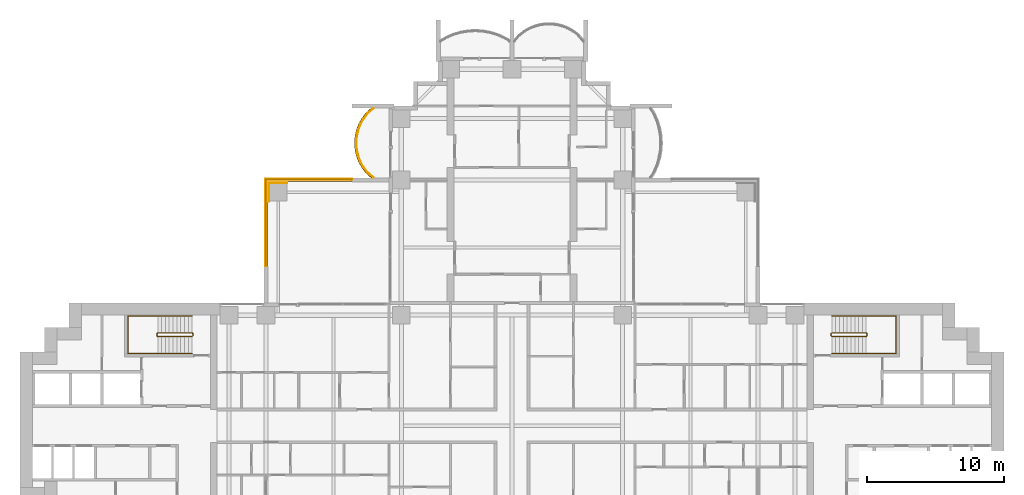
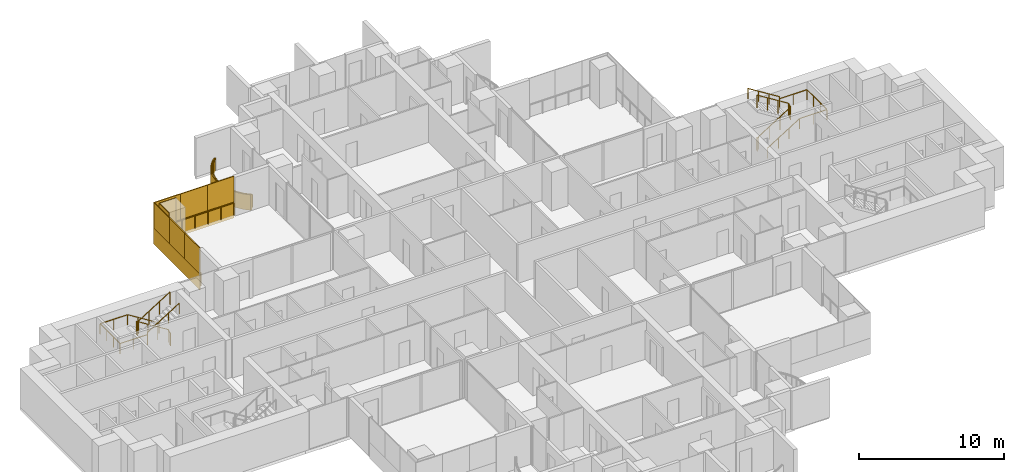
# One storey, part 20 of 21: 10 coverings, 6 railings.
"""IFC4 building model written with IfcOpenShell, lengths in metres."""

from ifc_helpers import new_model, si_unit, direction, frame, origin, origin_2d, place, context, subcontext, project, spatial, polyline, rectangle, outline, extrude, material, layer, layer_set, type_object, element, save


model = new_model("IFC4")

# Units and contexts
model_context = context("Model", 3, precision=1e-05, world=origin(), true_north=direction((0.0, 1.0)))
body_context = subcontext(model_context, "Body", "Model", "MODEL_VIEW")
ifc_project = project(units=[si_unit("LENGTHUNIT", "METRE"), si_unit("AREAUNIT", "SQUARE_METRE"), si_unit("VOLUMEUNIT", "CUBIC_METRE"), si_unit("PLANEANGLEUNIT", "RADIAN"), si_unit("MASSUNIT", "GRAM", prefix="KILO")], contexts=[model_context])

# Site, building, storey
site_placement = place(None, origin())
site = spatial("IfcSite", under=ifc_project, at=site_placement, CompositionType="ELEMENT")
building_placement = place(site_placement, origin())
building = spatial("IfcBuilding", under=site, at=building_placement, Name="Perihelion Cross Residences", CompositionType="ELEMENT")
storey_placement = place(building_placement, frame((0.0, 0.0, 64.5)))
storey = spatial("IfcBuildingStorey", under=building, at=storey_placement, Name="L13", CompositionType="ELEMENT", Elevation=64.5)

# Covering
ifc_material_1 = material(Name="Bronze anodised aluminium", Category="aluminium")
ifc_layer_1 = layer(ifc_material_1, 0.070068359375)
ifc_layer_set_1 = layer_set([ifc_layer_1], Name="Balcony fascia 1300")
covering_type_1 = type_object("IfcCoveringType", Name="Balcony fascia 1300", PredefinedType="CLADDING", material=ifc_layer_set_1)
covering_1_placement = place(storey_placement, frame((0.0, 0.0, -0.199951171875)))
element("IfcCovering", 1, at=covering_1_placement, inside=storey, type_object=covering_type_1, Name="Fascia BF1 L13 north side west bay 1", PredefinedType="CLADDING", context=body_context, shape_type="SweptSolid", body=[
    extrude(outline(polyline([(-10.674072265625, 22.90478515625), (-10.982666015625, 22.50390625), (-11.20654296875, 22.10302734375), (-11.364013671875, 21.7021484375), (-11.464599609375, 21.30126953125), (-11.513916015625, 20.900390625), (-11.513916015625, 20.49951171875), (-11.464599609375, 20.0986328125), (-11.364013671875, 19.69775390625), (-11.20654296875, 19.296875), (-10.982666015625, 18.89599609375), (-10.674072265625, 18.4951171875), (-10.302734375, 18.14990234375), (-10.199951171875, 18.14990234375), (-10.622314453125, 18.542236328125), (-10.924072265625, 18.9345703125), (-11.143310546875, 19.326904296875), (-11.29736328125, 19.71923828125), (-11.39599609375, 20.111572265625), (-11.444091796875, 20.50390625), (-11.444091796875, 20.896240234375), (-11.39599609375, 21.28857421875), (-11.29736328125, 21.6806640625), (-11.143310546875, 22.072998046875), (-10.924072265625, 22.46533203125), (-10.622314453125, 22.857666015625), (-10.199951171875, 23.25), (-10.302734375, 23.25), (-10.674072265625, 22.90478515625)])), origin(), (0.0, 0.0, 1.0), 1.300048828125),
])

# Railings
ifc_material_2 = material(Name="Bronze anodised aluminium", Category="aluminium")
railing_type_1 = type_object("IfcRailingType", Name="Balcony guard 1100", PredefinedType="GUARDRAIL", material=ifc_material_2)
railing_1_placement = place(storey_placement, frame((-10.139892578125, 23.22509765625, 0.0)))
element("IfcRailing", 2, at=railing_1_placement, inside=storey, type_object=railing_type_1, Name="Guard GU1 L13 north side west bay 1 balcony", PredefinedType="GUARDRAIL", context=body_context, shape_type="SweptSolid", body=[
    extrude(rectangle(XDim=0.048095703125, YDim=0.048095703125, at=origin_2d()), frame((0.0, 0.0, 1.076171875), z_axis=(-0.754464673757, -0.656340655493, 0.0), x_axis=(0.656340655493, -0.754464673757, 0.0)), (0.0, 0.0, 1.0), 0.559814453125),
    extrude(rectangle(XDim=0.048095703125, YDim=0.048095703125, at=origin_2d()), frame((-0.42236328125, -0.367431640625, 1.076171875), z_axis=(-0.60966308455, -0.792660660899, 0.0), x_axis=(0.792660660899, -0.60966308455, 0.0)), (0.0, 0.0, 1.0), 0.494873046875),
    extrude(rectangle(XDim=0.048095703125, YDim=0.048095703125, at=origin_2d()), frame((-0.72412109375, -0.759765625, 1.076171875), z_axis=(-0.487809182674, -0.872950285698, 0.0), x_axis=(0.872950285698, -0.487809182674, 0.0)), (0.0, 0.0, 1.0), 0.449462890625),
    extrude(rectangle(XDim=0.048095703125, YDim=0.048095703125, at=origin_2d()), frame((-0.943359375, -1.152099609375, 1.076171875), z_axis=(-0.365491079925, -0.930814842219, 0.0), x_axis=(0.930814842219, -0.365491079925, 0.0)), (0.0, 0.0, 1.0), 0.42138671875),
    extrude(rectangle(XDim=0.048095703125, YDim=0.048095703125, at=origin_2d()), frame((-1.097412109375, -1.54443359375, 1.076171875), z_axis=(-0.243956193074, -0.969786252666, 0.0), x_axis=(0.969786252666, -0.243956193074, 0.0)), (0.0, 0.0, 1.0), 0.404296875),
    extrude(rectangle(XDim=0.048095703125, YDim=0.048095703125, at=origin_2d()), frame((-1.196044921875, -1.9365234375, 1.076171875), z_axis=(-0.121677797999, -0.992569651699, 0.0), x_axis=(0.992569651699, -0.121677797999, 0.0)), (0.0, 0.0, 1.0), 0.395263671875),
    extrude(rectangle(XDim=0.048095703125, YDim=0.048095703125, at=origin_2d()), frame((-1.244140625, -2.328857421875, 1.076171875), z_axis=(0.0, -1.0, 0.0), x_axis=(1.0, 0.0, 0.0)), (0.0, 0.0, 1.0), 0.392333984375),
    extrude(rectangle(XDim=0.048095703125, YDim=0.048095703125, at=origin_2d()), frame((-1.244140625, -2.72119140625, 1.076171875), z_axis=(0.121677797999, -0.992569651699, 0.0), x_axis=(0.992569651699, 0.121677797999, 0.0)), (0.0, 0.0, 1.0), 0.395263671875),
    extrude(rectangle(XDim=0.048095703125, YDim=0.048095703125, at=origin_2d()), frame((-1.196044921875, -3.113525390625, 1.076171875), z_axis=(0.243813411509, -0.969822159145, 0.0), x_axis=(0.969822159145, 0.243813411509, 0.0)), (0.0, 0.0, 1.0), 0.404541015625),
    extrude(rectangle(XDim=0.048095703125, YDim=0.048095703125, at=origin_2d()), frame((-1.097412109375, -3.505859375, 1.076171875), z_axis=(0.365491079925, -0.930814842219, 0.0), x_axis=(0.930814842219, 0.365491079925, 0.0)), (0.0, 0.0, 1.0), 0.42138671875),
    extrude(rectangle(XDim=0.048095703125, YDim=0.048095703125, at=origin_2d()), frame((-0.943359375, -3.898193359375, 1.076171875), z_axis=(0.487809182674, -0.872950285698, 0.0), x_axis=(0.872950285698, 0.487809182674, 0.0)), (0.0, 0.0, 1.0), 0.449462890625),
    extrude(rectangle(XDim=0.048095703125, YDim=0.048095703125, at=origin_2d()), frame((-0.72412109375, -4.29052734375, 1.076171875), z_axis=(0.60966308455, -0.792660660899, 0.0), x_axis=(0.792660660899, 0.60966308455, 0.0)), (0.0, 0.0, 1.0), 0.494873046875),
    extrude(rectangle(XDim=0.048095703125, YDim=0.048095703125, at=origin_2d()), frame((-0.42236328125, -4.682861328125, 1.076171875), z_axis=(0.754680648599, -0.656092309534, 0.0), x_axis=(0.656092309534, 0.754680648599, 0.0)), (0.0, 0.0, 1.0), 0.5595703125),
    extrude(rectangle(XDim=0.0419921875, YDim=0.0419921875, at=origin_2d()), origin(), (0.0, 0.0, 1.0), 1.052001953125),
    extrude(rectangle(XDim=0.0419921875, YDim=0.0419921875, at=origin_2d()), frame((-0.42236328125, -0.367431640625, 0.0)), (0.0, 0.0, 1.0), 1.052001953125),
    extrude(rectangle(XDim=0.0419921875, YDim=0.0419921875, at=origin_2d()), frame((-0.72412109375, -0.759765625, 0.0)), (0.0, 0.0, 1.0), 1.052001953125),
    extrude(rectangle(XDim=0.0419921875, YDim=0.0419921875, at=origin_2d()), frame((-0.943359375, -1.152099609375, 0.0)), (0.0, 0.0, 1.0), 1.052001953125),
    extrude(rectangle(XDim=0.0419921875, YDim=0.0419921875, at=origin_2d()), frame((-1.097412109375, -1.54443359375, 0.0)), (0.0, 0.0, 1.0), 1.052001953125),
    extrude(rectangle(XDim=0.0419921875, YDim=0.0419921875, at=origin_2d()), frame((-1.196044921875, -1.9365234375, 0.0)), (0.0, 0.0, 1.0), 1.052001953125),
    extrude(rectangle(XDim=0.0419921875, YDim=0.0419921875, at=origin_2d()), frame((-1.244140625, -2.328857421875, 0.0)), (0.0, 0.0, 1.0), 1.052001953125),
    extrude(rectangle(XDim=0.0419921875, YDim=0.0419921875, at=origin_2d()), frame((-1.244140625, -2.72119140625, 0.0)), (0.0, 0.0, 1.0), 1.052001953125),
    extrude(rectangle(XDim=0.0419921875, YDim=0.0419921875, at=origin_2d()), frame((-1.196044921875, -3.113525390625, 0.0)), (0.0, 0.0, 1.0), 1.052001953125),
    extrude(rectangle(XDim=0.0419921875, YDim=0.0419921875, at=origin_2d()), frame((-1.097412109375, -3.505859375, 0.0)), (0.0, 0.0, 1.0), 1.052001953125),
    extrude(rectangle(XDim=0.0419921875, YDim=0.0419921875, at=origin_2d()), frame((-0.943359375, -3.898193359375, 0.0)), (0.0, 0.0, 1.0), 1.052001953125),
    extrude(rectangle(XDim=0.0419921875, YDim=0.0419921875, at=origin_2d()), frame((-0.72412109375, -4.29052734375, 0.0)), (0.0, 0.0, 1.0), 1.052001953125),
    extrude(rectangle(XDim=0.0419921875, YDim=0.0419921875, at=origin_2d()), frame((-0.42236328125, -4.682861328125, 0.0)), (0.0, 0.0, 1.0), 1.052001953125),
    extrude(rectangle(XDim=0.0419921875, YDim=0.0419921875, at=origin_2d()), frame((0.0, -5.050048828125, 0.0)), (0.0, 0.0, 1.0), 1.052001953125),
])
railing_2_placement = place(storey_placement, frame((-17.93994140625, 11.739990234375, 0.0)))
element("IfcRailing", 3, at=railing_2_placement, inside=storey, type_object=railing_type_1, Name="Guard GU1 L13 pocket north-west 1", PredefinedType="GUARDRAIL", context=body_context, shape_type="SweptSolid", body=[
    extrude(rectangle(XDim=0.048095703125, YDim=0.048095703125, at=origin_2d()), frame((0.0, 0.0, 1.076171875), z_axis=(0.0, 1.0, 0.0), x_axis=(-1.0, 0.0, 0.0)), (0.0, 0.0, 1.0), 6.199951171875),
    extrude(rectangle(XDim=0.048095703125, YDim=0.048095703125, at=origin_2d()), frame((0.0, 6.199951171875, 1.076171875), z_axis=(1.0, 0.0, 0.0), x_axis=(0.0, 1.0, 0.0)), (0.0, 0.0, 1.0), 6.199951171875),
    extrude(rectangle(XDim=0.0419921875, YDim=0.0419921875, at=origin_2d()), origin(), (0.0, 0.0, 1.0), 1.052001953125),
    extrude(rectangle(XDim=0.0419921875, YDim=0.0419921875, at=origin_2d()), frame((0.0, 1.033203125, 0.0)), (0.0, 0.0, 1.0), 1.052001953125),
    extrude(rectangle(XDim=0.0419921875, YDim=0.0419921875, at=origin_2d()), frame((0.0, 2.066650390625, 0.0)), (0.0, 0.0, 1.0), 1.052001953125),
    extrude(rectangle(XDim=0.0419921875, YDim=0.0419921875, at=origin_2d()), frame((0.0, 3.10009765625, 0.0)), (0.0, 0.0, 1.0), 1.052001953125),
    extrude(rectangle(XDim=0.0419921875, YDim=0.0419921875, at=origin_2d()), frame((0.0, 4.13330078125, 0.0)), (0.0, 0.0, 1.0), 1.052001953125),
    extrude(rectangle(XDim=0.0419921875, YDim=0.0419921875, at=origin_2d()), frame((0.0, 5.16650390625, 0.0)), (0.0, 0.0, 1.0), 1.052001953125),
    extrude(rectangle(XDim=0.0419921875, YDim=0.0419921875, at=origin_2d()), frame((0.0, 6.199951171875, 0.0)), (0.0, 0.0, 1.0), 1.052001953125),
    extrude(rectangle(XDim=0.0419921875, YDim=0.0419921875, at=origin_2d()), frame((1.033203125, 6.199951171875, 0.0)), (0.0, 0.0, 1.0), 1.052001953125),
    extrude(rectangle(XDim=0.0419921875, YDim=0.0419921875, at=origin_2d()), frame((2.066650390625, 6.199951171875, 0.0)), (0.0, 0.0, 1.0), 1.052001953125),
    extrude(rectangle(XDim=0.0419921875, YDim=0.0419921875, at=origin_2d()), frame((3.10009765625, 6.199951171875, 0.0)), (0.0, 0.0, 1.0), 1.052001953125),
    extrude(rectangle(XDim=0.0419921875, YDim=0.0419921875, at=origin_2d()), frame((4.13330078125, 6.199951171875, 0.0)), (0.0, 0.0, 1.0), 1.052001953125),
    extrude(rectangle(XDim=0.0419921875, YDim=0.0419921875, at=origin_2d()), frame((5.16650390625, 6.199951171875, 0.0)), (0.0, 0.0, 1.0), 1.052001953125),
    extrude(rectangle(XDim=0.0419921875, YDim=0.0419921875, at=origin_2d()), frame((6.199951171875, 6.199951171875, 0.0)), (0.0, 0.0, 1.0), 1.052001953125),
])

# Coverings
ifc_material_3 = material(Name="Bronze anodised aluminium", Category="aluminium")
ifc_layer_2 = layer(ifc_material_3, 0.0400390625)
ifc_layer_set_2 = layer_set([ifc_layer_2], Name="Bronze column casing 40")
covering_type_2 = type_object("IfcCoveringType", Name="Bronze column casing 40", PredefinedType="CLADDING", material=ifc_layer_set_2)
covering_2_placement = place(storey_placement, frame((-17.77001953125, 17.10009765625, -0.25), z_axis=(0.0, 0.0, 1.0), x_axis=(1.0, 0.0, 0.0)))
element("IfcCovering", 4, at=covering_2_placement, inside=storey, type_object=covering_type_2, Name="Cladding CC1 L13 casing east-west no. 2", PredefinedType="CLADDING", context=body_context, shape_type="SweptSolid", body=[
    extrude(rectangle(XDim=0.0400390625, YDim=1.3798828125, at=origin_2d()), origin(), (0.0, 0.0, 1.0), 3.5),
])
covering_3_placement = place(storey_placement, frame((-17.10009765625, 17.77001953125, -0.25), z_axis=(0.0, 0.0, 1.0), x_axis=(1.0, 0.0, 0.0)))
element("IfcCovering", 5, at=covering_3_placement, inside=storey, type_object=covering_type_2, Name="Cladding CC1 L13 casing north-south no. 2", PredefinedType="CLADDING", context=body_context, shape_type="SweptSolid", body=[
    extrude(rectangle(XDim=1.300048828125, YDim=0.0400390625, at=origin_2d()), origin(), (0.0, 0.0, 1.0), 3.5),
])
ifc_material_4 = material(Name="Bronze anodised aluminium", Category="aluminium")
ifc_layer_3 = layer(ifc_material_4, 0.070068359375)
ifc_layer_set_3 = layer_set([ifc_layer_3], Name="Pocket fascia 1350")
covering_type_3 = type_object("IfcCoveringType", Name="Pocket fascia 1350", PredefinedType="CLADDING", material=ifc_layer_set_3)
covering_4_placement = place(storey_placement, frame((0.0, 0.0, -0.25)))
element("IfcCovering", 6, at=covering_4_placement, inside=storey, type_object=covering_type_3, Name="Fascia BF2 L13 pocket north-west 3", PredefinedType="CLADDING", context=body_context, shape_type="SweptSolid", body=[
    extrude(outline(polyline([(-18.070068359375, 18.070068359375), (-18.070068359375, 11.699951171875), (-18.0, 11.699951171875), (-18.0, 18.0), (-11.699951171875, 18.0), (-11.699951171875, 18.070068359375), (-18.070068359375, 18.070068359375)])), origin(), (0.0, 0.0, 1.0), 1.35009765625),
])
ifc_material_5 = material(Name="Bronze perforated aluminium", Category="aluminium")
ifc_layer_4 = layer(ifc_material_5, 0.070068359375)
ifc_layer_set_4 = layer_set([ifc_layer_4], Name="Pocket solar screen, bronze perforated")
covering_type_4 = type_object("IfcCoveringType", Name="Pocket solar screen, bronze perforated", PredefinedType="CLADDING", material=ifc_layer_set_4)
covering_5_placement = place(storey_placement, frame((0.0, 0.0, 1.10009765625)))
element("IfcCovering", 7, at=covering_5_placement, inside=storey, type_object=covering_type_4, Name="Solar screen PS1 L13 pocket north-west no. 1", PredefinedType="CLADDING", context=body_context, shape_type="SweptSolid", body=[
    extrude(outline(polyline([(-18.0, 11.699951171875), (-18.0, 13.800048828125), (-18.070068359375, 13.800048828125), (-18.070068359375, 11.699951171875), (-18.0, 11.699951171875)])), origin(), (0.0, 0.0, 1.0), 2.14990234375),
])
covering_6_placement = place(storey_placement, frame((0.0, 0.0, 1.10009765625)))
element("IfcCovering", 8, at=covering_6_placement, inside=storey, type_object=covering_type_4, Name="Solar screen PS1 L13 pocket north-west no. 2", PredefinedType="CLADDING", context=body_context, shape_type="SweptSolid", body=[
    extrude(outline(polyline([(-18.0, 13.800048828125), (-18.0, 15.89990234375), (-18.070068359375, 15.89990234375), (-18.070068359375, 13.800048828125), (-18.0, 13.800048828125)])), origin(), (0.0, 0.0, 1.0), 2.14990234375),
])
covering_7_placement = place(storey_placement, frame((0.0, 0.0, 1.10009765625)))
element("IfcCovering", 9, at=covering_7_placement, inside=storey, type_object=covering_type_4, Name="Solar screen PS1 L13 pocket north-west no. 3", PredefinedType="CLADDING", context=body_context, shape_type="SweptSolid", body=[
    extrude(outline(polyline([(-18.0, 15.89990234375), (-18.0, 18.0), (-18.070068359375, 18.0), (-18.070068359375, 15.89990234375), (-18.0, 15.89990234375)])), origin(), (0.0, 0.0, 1.0), 2.14990234375),
])
covering_8_placement = place(storey_placement, frame((0.0, 0.0, 1.10009765625)))
element("IfcCovering", 10, at=covering_8_placement, inside=storey, type_object=covering_type_4, Name="Solar screen PS1 L13 pocket north-west no. 4", PredefinedType="CLADDING", context=body_context, shape_type="SweptSolid", body=[
    extrude(outline(polyline([(-15.94677734375, 18.0), (-15.94677734375, 18.070068359375), (-18.070068359375, 18.070068359375), (-18.070068359375, 18.0), (-15.94677734375, 18.0)])), origin(), (0.0, 0.0, 1.0), 2.14990234375),
])
covering_9_placement = place(storey_placement, frame((0.0, 0.0, 1.10009765625)))
element("IfcCovering", 11, at=covering_9_placement, inside=storey, type_object=covering_type_4, Name="Solar screen PS1 L13 pocket north-west no. 5", PredefinedType="CLADDING", context=body_context, shape_type="SweptSolid", body=[
    extrude(outline(polyline([(-13.8232421875, 18.0), (-13.8232421875, 18.070068359375), (-15.94677734375, 18.070068359375), (-15.94677734375, 18.0), (-13.8232421875, 18.0)])), origin(), (0.0, 0.0, 1.0), 2.14990234375),
])
covering_10_placement = place(storey_placement, frame((0.0, 0.0, 1.10009765625)))
element("IfcCovering", 12, at=covering_10_placement, inside=storey, type_object=covering_type_4, Name="Solar screen PS1 L13 pocket north-west no. 6", PredefinedType="CLADDING", context=body_context, shape_type="SweptSolid", body=[
    extrude(outline(polyline([(-11.699951171875, 18.0), (-11.699951171875, 18.070068359375), (-13.8232421875, 18.070068359375), (-13.8232421875, 18.0), (-11.699951171875, 18.0)])), origin(), (0.0, 0.0, 1.0), 2.14990234375),
])

# Railings
ifc_material_6 = material(Name="Stainless steel", Category="steel")
railing_type_2 = type_object("IfcRailingType", Name="Stair guard 1100", PredefinedType="GUARDRAIL", material=ifc_material_6)
railing_3_placement = place(storey_placement, frame((23.35009765625, 6.75, 0.0)))
element("IfcRailing", 13, at=railing_3_placement, inside=storey, type_object=railing_type_2, Name="L13 ST-E1 stair guard 1", PredefinedType="GUARDRAIL", context=body_context, shape_type="SweptSolid", body=[
    extrude(rectangle(XDim=0.048095703125, YDim=0.048095703125, at=origin_2d()), frame((0.0, 0.0, 1.076171875), z_axis=(0.0, -1.0, 0.0), x_axis=(1.0, 0.0, 0.0)), (0.0, 0.0, 1.0), 0.14990234375),
    extrude(rectangle(XDim=0.048095703125, YDim=0.048095703125, at=origin_2d()), frame((0.0, -0.14990234375, 1.076171875), z_axis=(0.263862480399, -0.265155923931, 0.927399011991), x_axis=(0.708833529934, 0.705375805398, 0.0)), (0.0, 0.0, 1.0), 0.188720703125),
    extrude(rectangle(XDim=0.048095703125, YDim=0.048095703125, at=origin_2d()), frame((0.0498046875, -0.199951171875, 1.2509765625), z_axis=(0.848007534815, 0.0, 0.529984170421), x_axis=(0.0, 1.0, 0.0)), (0.0, 0.0, 1.0), 2.9716796875),
    extrude(rectangle(XDim=0.048095703125, YDim=0.048095703125, at=origin_2d()), frame((2.56982421875, -0.199951171875, 2.826171875), z_axis=(0.707106781187, 0.707106781187, 0.0), x_axis=(-0.707106781187, 0.707106781187, 0.0)), (0.0, 0.0, 1.0), 0.07080078125),
    extrude(rectangle(XDim=0.048095703125, YDim=0.048095703125, at=origin_2d()), frame((2.619873046875, -0.14990234375, 2.826171875), z_axis=(0.0, 1.0, 0.0), x_axis=(-1.0, 0.0, 0.0)), (0.0, 0.0, 1.0), 0.14990234375),
    extrude(rectangle(XDim=0.048095703125, YDim=0.048095703125, at=origin_2d()), frame((2.619873046875, 0.0, 2.826171875), z_axis=(-0.265065253269, 0.265065253269, 0.927081885822), x_axis=(-0.707106781187, -0.707106781187, 0.0)), (0.0, 0.0, 1.0), 0.188720703125),
    extrude(rectangle(XDim=0.048095703125, YDim=0.048095703125, at=origin_2d()), frame((2.56982421875, 0.050048828125, 3.0009765625), z_axis=(-0.848007534815, 0.0, 0.529984170421), x_axis=(0.0, -1.0, 0.0)), (0.0, 0.0, 1.0), 2.9716796875),
    extrude(rectangle(XDim=0.0419921875, YDim=0.0419921875, at=origin_2d()), origin(), (0.0, 0.0, 1.0), 1.052001953125),
    extrude(rectangle(XDim=0.0419921875, YDim=0.0419921875, at=origin_2d()), frame((0.0, -0.14990234375, 0.0)), (0.0, 0.0, 1.0), 1.052001953125),
    extrude(rectangle(XDim=0.0419921875, YDim=0.0419921875, at=origin_2d()), frame((0.0498046875, -0.199951171875, 0.175048828125)), (0.0, 0.0, 1.0), 1.052001953125),
    extrude(rectangle(XDim=0.0419921875, YDim=0.0419921875, at=origin_2d()), frame((0.889892578125, -0.199951171875, 0.699951171875)), (0.0, 0.0, 1.0), 1.052001953125),
    extrude(rectangle(XDim=0.0419921875, YDim=0.0419921875, at=origin_2d()), frame((1.729736328125, -0.199951171875, 1.22509765625)), (0.0, 0.0, 1.0), 1.052001953125),
    extrude(rectangle(XDim=0.0419921875, YDim=0.0419921875, at=origin_2d()), frame((2.56982421875, -0.199951171875, 1.75)), (0.0, 0.0, 1.0), 1.052001953125),
    extrude(rectangle(XDim=0.0419921875, YDim=0.0419921875, at=origin_2d()), frame((2.619873046875, -0.14990234375, 1.75)), (0.0, 0.0, 1.0), 1.052001953125),
    extrude(rectangle(XDim=0.0419921875, YDim=0.0419921875, at=origin_2d()), frame((2.619873046875, 0.0, 1.75)), (0.0, 0.0, 1.0), 1.052001953125),
    extrude(rectangle(XDim=0.0419921875, YDim=0.0419921875, at=origin_2d()), frame((2.56982421875, 0.050048828125, 1.925048828125)), (0.0, 0.0, 1.0), 1.052001953125),
    extrude(rectangle(XDim=0.0419921875, YDim=0.0419921875, at=origin_2d()), frame((1.729736328125, 0.050048828125, 2.449951171875)), (0.0, 0.0, 1.0), 1.052001953125),
    extrude(rectangle(XDim=0.0419921875, YDim=0.0419921875, at=origin_2d()), frame((0.889892578125, 0.050048828125, 2.97509765625)), (0.0, 0.0, 1.0), 1.052001953125),
    extrude(rectangle(XDim=0.0419921875, YDim=0.0419921875, at=origin_2d()), frame((0.0498046875, 0.050048828125, 3.5)), (0.0, 0.0, 1.0), 1.052001953125),
])
railing_4_placement = place(storey_placement, frame((-23.35009765625, 6.60009765625, 0.0)))
element("IfcRailing", 14, at=railing_4_placement, inside=storey, type_object=railing_type_2, Name="L13 ST-W1 stair guard 1", PredefinedType="GUARDRAIL", context=body_context, shape_type="SweptSolid", body=[
    extrude(rectangle(XDim=0.048095703125, YDim=0.048095703125, at=origin_2d()), frame((0.0, 0.0, 1.076171875), z_axis=(0.0, 1.0, 0.0), x_axis=(-1.0, 0.0, 0.0)), (0.0, 0.0, 1.0), 0.14990234375),
    extrude(rectangle(XDim=0.048095703125, YDim=0.048095703125, at=origin_2d()), frame((0.0, 0.14990234375, 1.076171875), z_axis=(-0.263862480399, 0.265155923931, 0.927399011991), x_axis=(-0.708833529934, -0.705375805398, 0.0)), (0.0, 0.0, 1.0), 0.188720703125),
    extrude(rectangle(XDim=0.048095703125, YDim=0.048095703125, at=origin_2d()), frame((-0.0498046875, 0.199951171875, 1.2509765625), z_axis=(-0.848007534815, 0.0, 0.529984170421), x_axis=(0.0, -1.0, 0.0)), (0.0, 0.0, 1.0), 2.9716796875),
    extrude(rectangle(XDim=0.048095703125, YDim=0.048095703125, at=origin_2d()), frame((-2.56982421875, 0.199951171875, 2.826171875), z_axis=(-0.707106781187, -0.707106781187, 0.0), x_axis=(0.707106781187, -0.707106781187, 0.0)), (0.0, 0.0, 1.0), 0.07080078125),
    extrude(rectangle(XDim=0.048095703125, YDim=0.048095703125, at=origin_2d()), frame((-2.619873046875, 0.14990234375, 2.826171875), z_axis=(0.0, -1.0, 0.0), x_axis=(1.0, 0.0, 0.0)), (0.0, 0.0, 1.0), 0.14990234375),
    extrude(rectangle(XDim=0.048095703125, YDim=0.048095703125, at=origin_2d()), frame((-2.619873046875, 0.0, 2.826171875), z_axis=(0.265065253269, -0.265065253269, 0.927081885822), x_axis=(0.707106781187, 0.707106781187, 0.0)), (0.0, 0.0, 1.0), 0.188720703125),
    extrude(rectangle(XDim=0.048095703125, YDim=0.048095703125, at=origin_2d()), frame((-2.56982421875, -0.050048828125, 3.0009765625), z_axis=(0.848007534815, 0.0, 0.529984170421), x_axis=(0.0, 1.0, 0.0)), (0.0, 0.0, 1.0), 2.9716796875),
    extrude(rectangle(XDim=0.0419921875, YDim=0.0419921875, at=origin_2d()), origin(), (0.0, 0.0, 1.0), 1.052001953125),
    extrude(rectangle(XDim=0.0419921875, YDim=0.0419921875, at=origin_2d()), frame((0.0, 0.14990234375, 0.0)), (0.0, 0.0, 1.0), 1.052001953125),
    extrude(rectangle(XDim=0.0419921875, YDim=0.0419921875, at=origin_2d()), frame((-0.0498046875, 0.199951171875, 0.175048828125)), (0.0, 0.0, 1.0), 1.052001953125),
    extrude(rectangle(XDim=0.0419921875, YDim=0.0419921875, at=origin_2d()), frame((-0.889892578125, 0.199951171875, 0.699951171875)), (0.0, 0.0, 1.0), 1.052001953125),
    extrude(rectangle(XDim=0.0419921875, YDim=0.0419921875, at=origin_2d()), frame((-1.729736328125, 0.199951171875, 1.22509765625)), (0.0, 0.0, 1.0), 1.052001953125),
    extrude(rectangle(XDim=0.0419921875, YDim=0.0419921875, at=origin_2d()), frame((-2.56982421875, 0.199951171875, 1.75)), (0.0, 0.0, 1.0), 1.052001953125),
    extrude(rectangle(XDim=0.0419921875, YDim=0.0419921875, at=origin_2d()), frame((-2.619873046875, 0.14990234375, 1.75)), (0.0, 0.0, 1.0), 1.052001953125),
    extrude(rectangle(XDim=0.0419921875, YDim=0.0419921875, at=origin_2d()), frame((-2.619873046875, 0.0, 1.75)), (0.0, 0.0, 1.0), 1.052001953125),
    extrude(rectangle(XDim=0.0419921875, YDim=0.0419921875, at=origin_2d()), frame((-2.56982421875, -0.050048828125, 1.925048828125)), (0.0, 0.0, 1.0), 1.052001953125),
    extrude(rectangle(XDim=0.0419921875, YDim=0.0419921875, at=origin_2d()), frame((-1.729736328125, -0.050048828125, 2.449951171875)), (0.0, 0.0, 1.0), 1.052001953125),
    extrude(rectangle(XDim=0.0419921875, YDim=0.0419921875, at=origin_2d()), frame((-0.889892578125, -0.050048828125, 2.97509765625)), (0.0, 0.0, 1.0), 1.052001953125),
    extrude(rectangle(XDim=0.0419921875, YDim=0.0419921875, at=origin_2d()), frame((-0.0498046875, -0.050048828125, 3.5)), (0.0, 0.0, 1.0), 1.052001953125),
])
ifc_material_7 = material(Name="Stainless steel", Category="steel")
railing_type_3 = type_object("IfcRailingType", Name="Stair handrail 900", PredefinedType="HANDRAIL", material=ifc_material_7)
railing_5_placement = place(storey_placement, frame((23.39990234375, 5.300048828125, 0.175048828125)))
element("IfcRailing", 15, at=railing_5_placement, inside=storey, type_object=railing_type_3, Name="L13 ST-E1 stair handrail 1", PredefinedType="HANDRAIL", context=body_context, shape_type="SweptSolid", body=[
    extrude(rectangle(XDim=0.048095703125, YDim=0.048095703125, at=origin_2d()), frame((0.0, 0.0, 0.8759765625), z_axis=(0.848007534815, 0.0, 0.529984170421), x_axis=(0.0, 1.0, 0.0)), (0.0, 0.0, 1.0), 2.9716796875),
    extrude(rectangle(XDim=0.048095703125, YDim=0.048095703125, at=origin_2d()), frame((2.52001953125, 0.0, 2.45068359375), z_axis=(1.0, 0.0, 0.0), x_axis=(0.0, 1.0, 0.0)), (0.0, 0.0, 1.0), 2.18017578125),
    extrude(rectangle(XDim=0.048095703125, YDim=0.048095703125, at=origin_2d()), frame((4.7001953125, 0.0, 2.45068359375), z_axis=(0.0, 1.0, 0.0), x_axis=(-1.0, 0.0, 0.0)), (0.0, 0.0, 1.0), 2.75),
    extrude(rectangle(XDim=0.048095703125, YDim=0.048095703125, at=origin_2d()), frame((4.7001953125, 2.75, 2.45068359375), z_axis=(-1.0, 0.0, 0.0), x_axis=(0.0, -1.0, 0.0)), (0.0, 0.0, 1.0), 2.18017578125),
    extrude(rectangle(XDim=0.048095703125, YDim=0.048095703125, at=origin_2d()), frame((2.52001953125, 2.75, 2.45068359375), z_axis=(0.0, 0.0, 1.0), x_axis=(1.0, 0.0, 0.0)), (0.0, 0.0, 1.0), 0.175048828125),
    extrude(rectangle(XDim=0.048095703125, YDim=0.048095703125, at=origin_2d()), frame((2.52001953125, 2.75, 2.6259765625), z_axis=(-0.848007534815, 0.0, 0.529984170421), x_axis=(0.0, -1.0, 0.0)), (0.0, 0.0, 1.0), 2.9716796875),
    extrude(rectangle(XDim=0.0419921875, YDim=0.0419921875, at=origin_2d()), origin(), (0.0, 0.0, 1.0), 0.851806640625),
    extrude(rectangle(XDim=0.0419921875, YDim=0.0419921875, at=origin_2d()), frame((0.840087890625, 0.0, 0.52490234375)), (0.0, 0.0, 1.0), 0.851806640625),
    extrude(rectangle(XDim=0.0419921875, YDim=0.0419921875, at=origin_2d()), frame((1.679931640625, 0.0, 1.050048828125)), (0.0, 0.0, 1.0), 0.851806640625),
    extrude(rectangle(XDim=0.0419921875, YDim=0.0419921875, at=origin_2d()), frame((2.52001953125, 0.0, 1.574951171875)), (0.0, 0.0, 1.0), 0.851806640625),
    extrude(rectangle(XDim=0.0419921875, YDim=0.0419921875, at=origin_2d()), frame((3.610107421875, 0.0, 1.574951171875)), (0.0, 0.0, 1.0), 0.851806640625),
    extrude(rectangle(XDim=0.0419921875, YDim=0.0419921875, at=origin_2d()), frame((4.7001953125, 0.0, 1.574951171875)), (0.0, 0.0, 1.0), 0.851806640625),
    extrude(rectangle(XDim=0.0419921875, YDim=0.0419921875, at=origin_2d()), frame((4.7001953125, 0.916748046875, 1.574951171875)), (0.0, 0.0, 1.0), 0.851806640625),
    extrude(rectangle(XDim=0.0419921875, YDim=0.0419921875, at=origin_2d()), frame((4.7001953125, 1.833251953125, 1.574951171875)), (0.0, 0.0, 1.0), 0.851806640625),
    extrude(rectangle(XDim=0.0419921875, YDim=0.0419921875, at=origin_2d()), frame((4.7001953125, 2.75, 1.574951171875)), (0.0, 0.0, 1.0), 0.851806640625),
    extrude(rectangle(XDim=0.0419921875, YDim=0.0419921875, at=origin_2d()), frame((3.610107421875, 2.75, 1.574951171875)), (0.0, 0.0, 1.0), 0.851806640625),
    extrude(rectangle(XDim=0.0419921875, YDim=0.0419921875, at=origin_2d()), frame((2.52001953125, 2.75, 1.574951171875)), (0.0, 0.0, 1.0), 0.851806640625),
    extrude(rectangle(XDim=0.0419921875, YDim=0.0419921875, at=origin_2d()), frame((2.52001953125, 2.75, 1.75)), (0.0, 0.0, 1.0), 0.851806640625),
    extrude(rectangle(XDim=0.0419921875, YDim=0.0419921875, at=origin_2d()), frame((1.679931640625, 2.75, 2.27490234375)), (0.0, 0.0, 1.0), 0.851806640625),
    extrude(rectangle(XDim=0.0419921875, YDim=0.0419921875, at=origin_2d()), frame((0.840087890625, 2.75, 2.800048828125)), (0.0, 0.0, 1.0), 0.851806640625),
    extrude(rectangle(XDim=0.0419921875, YDim=0.0419921875, at=origin_2d()), frame((0.0, 2.75, 3.324951171875)), (0.0, 0.0, 1.0), 0.851806640625),
])
railing_6_placement = place(storey_placement, frame((-23.39990234375, 8.050048828125, 0.175048828125)))
element("IfcRailing", 16, at=railing_6_placement, inside=storey, type_object=railing_type_3, Name="L13 ST-W1 stair handrail 1", PredefinedType="HANDRAIL", context=body_context, shape_type="SweptSolid", body=[
    extrude(rectangle(XDim=0.048095703125, YDim=0.048095703125, at=origin_2d()), frame((0.0, 0.0, 0.8759765625), z_axis=(-0.848007534815, 0.0, 0.529984170421), x_axis=(0.0, -1.0, 0.0)), (0.0, 0.0, 1.0), 2.9716796875),
    extrude(rectangle(XDim=0.048095703125, YDim=0.048095703125, at=origin_2d()), frame((-2.52001953125, 0.0, 2.45068359375), z_axis=(-1.0, 0.0, 0.0), x_axis=(0.0, -1.0, 0.0)), (0.0, 0.0, 1.0), 2.18017578125),
    extrude(rectangle(XDim=0.048095703125, YDim=0.048095703125, at=origin_2d()), frame((-4.7001953125, 0.0, 2.45068359375), z_axis=(0.0, -1.0, 0.0), x_axis=(1.0, 0.0, 0.0)), (0.0, 0.0, 1.0), 2.75),
    extrude(rectangle(XDim=0.048095703125, YDim=0.048095703125, at=origin_2d()), frame((-4.7001953125, -2.75, 2.45068359375), z_axis=(1.0, 0.0, 0.0), x_axis=(0.0, 1.0, 0.0)), (0.0, 0.0, 1.0), 2.18017578125),
    extrude(rectangle(XDim=0.048095703125, YDim=0.048095703125, at=origin_2d()), frame((-2.52001953125, -2.75, 2.45068359375), z_axis=(0.0, 0.0, 1.0), x_axis=(1.0, 0.0, 0.0)), (0.0, 0.0, 1.0), 0.175048828125),
    extrude(rectangle(XDim=0.048095703125, YDim=0.048095703125, at=origin_2d()), frame((-2.52001953125, -2.75, 2.6259765625), z_axis=(0.848007534815, 0.0, 0.529984170421), x_axis=(0.0, 1.0, 0.0)), (0.0, 0.0, 1.0), 2.9716796875),
    extrude(rectangle(XDim=0.0419921875, YDim=0.0419921875, at=origin_2d()), origin(), (0.0, 0.0, 1.0), 0.851806640625),
    extrude(rectangle(XDim=0.0419921875, YDim=0.0419921875, at=origin_2d()), frame((-0.840087890625, 0.0, 0.52490234375)), (0.0, 0.0, 1.0), 0.851806640625),
    extrude(rectangle(XDim=0.0419921875, YDim=0.0419921875, at=origin_2d()), frame((-1.679931640625, 0.0, 1.050048828125)), (0.0, 0.0, 1.0), 0.851806640625),
    extrude(rectangle(XDim=0.0419921875, YDim=0.0419921875, at=origin_2d()), frame((-2.52001953125, 0.0, 1.574951171875)), (0.0, 0.0, 1.0), 0.851806640625),
    extrude(rectangle(XDim=0.0419921875, YDim=0.0419921875, at=origin_2d()), frame((-3.610107421875, 0.0, 1.574951171875)), (0.0, 0.0, 1.0), 0.851806640625),
    extrude(rectangle(XDim=0.0419921875, YDim=0.0419921875, at=origin_2d()), frame((-4.7001953125, 0.0, 1.574951171875)), (0.0, 0.0, 1.0), 0.851806640625),
    extrude(rectangle(XDim=0.0419921875, YDim=0.0419921875, at=origin_2d()), frame((-4.7001953125, -0.916748046875, 1.574951171875)), (0.0, 0.0, 1.0), 0.851806640625),
    extrude(rectangle(XDim=0.0419921875, YDim=0.0419921875, at=origin_2d()), frame((-4.7001953125, -1.833251953125, 1.574951171875)), (0.0, 0.0, 1.0), 0.851806640625),
    extrude(rectangle(XDim=0.0419921875, YDim=0.0419921875, at=origin_2d()), frame((-4.7001953125, -2.75, 1.574951171875)), (0.0, 0.0, 1.0), 0.851806640625),
    extrude(rectangle(XDim=0.0419921875, YDim=0.0419921875, at=origin_2d()), frame((-3.610107421875, -2.75, 1.574951171875)), (0.0, 0.0, 1.0), 0.851806640625),
    extrude(rectangle(XDim=0.0419921875, YDim=0.0419921875, at=origin_2d()), frame((-2.52001953125, -2.75, 1.574951171875)), (0.0, 0.0, 1.0), 0.851806640625),
    extrude(rectangle(XDim=0.0419921875, YDim=0.0419921875, at=origin_2d()), frame((-2.52001953125, -2.75, 1.75)), (0.0, 0.0, 1.0), 0.851806640625),
    extrude(rectangle(XDim=0.0419921875, YDim=0.0419921875, at=origin_2d()), frame((-1.679931640625, -2.75, 2.27490234375)), (0.0, 0.0, 1.0), 0.851806640625),
    extrude(rectangle(XDim=0.0419921875, YDim=0.0419921875, at=origin_2d()), frame((-0.840087890625, -2.75, 2.800048828125)), (0.0, 0.0, 1.0), 0.851806640625),
    extrude(rectangle(XDim=0.0419921875, YDim=0.0419921875, at=origin_2d()), frame((0.0, -2.75, 3.324951171875)), (0.0, 0.0, 1.0), 0.851806640625),
])

save(model, "model.ifc")
